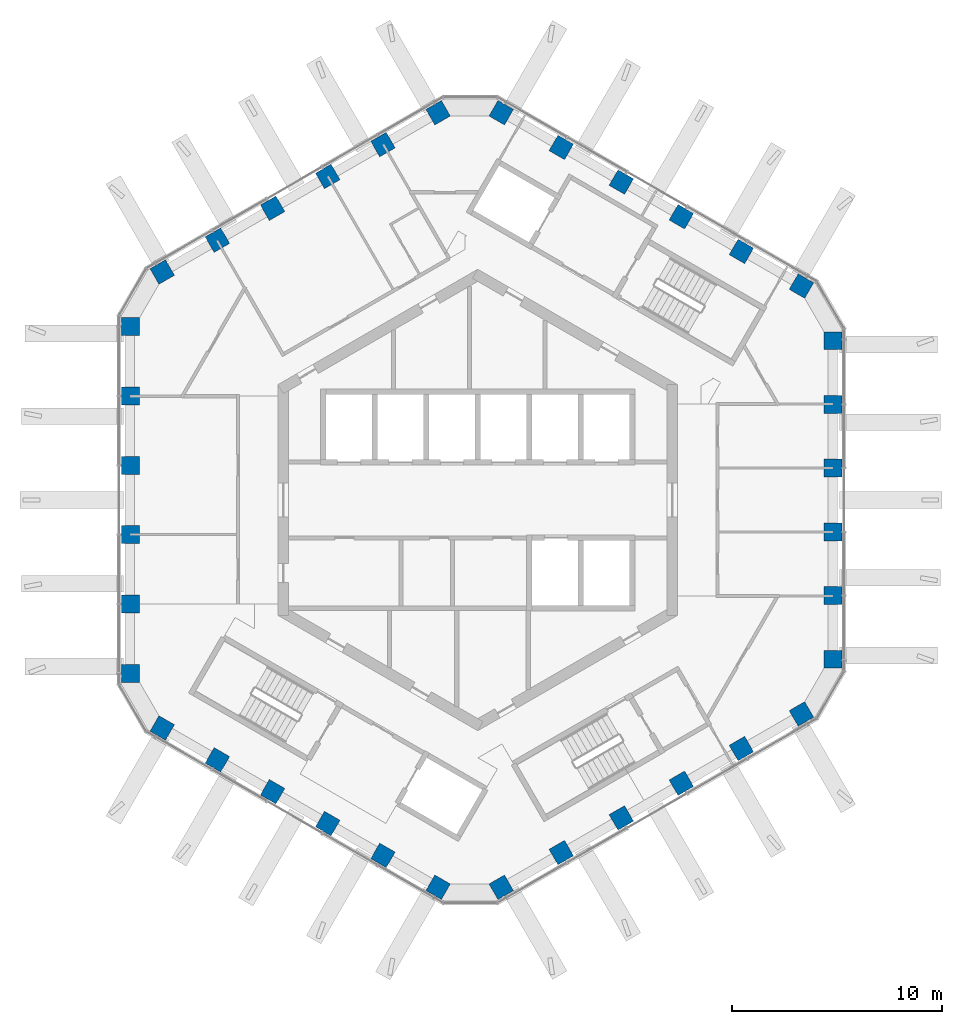
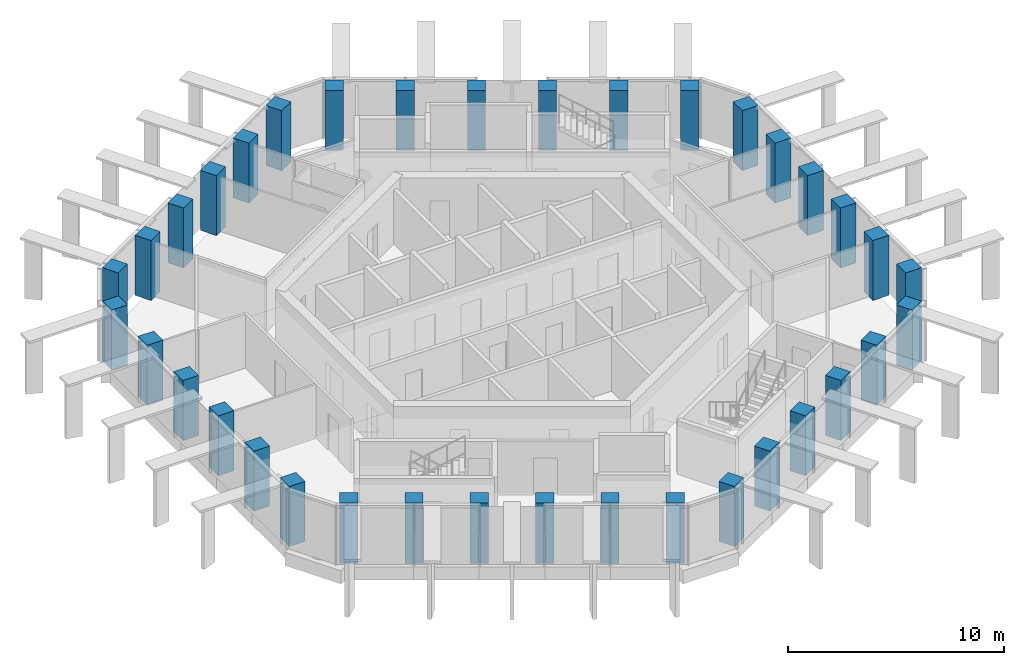
# One storey, part 1 of 18: 36 columns.
"""IFC4 building model written with IfcOpenShell, lengths in metres."""

import ifcopenshell
import ifcopenshell.guid

model = None  # the IFC model being written
_history = None  # IfcOwnerHistory: only IFC2X3 demands one
_inside = {}  # id of a spatial element -> (the spatial element, [elements in it])
_under = {}  # id of a project, library or spatial element -> (it, [spatial elements below it])
_declared = {}  # id of a project -> (the project, [libraries it declares])
_typed = {}  # id of a type object -> (the type object, [elements of that type])
_made_of = {}  # id of a material, layer set ... -> (it, [elements and type objects made of it])


def new_model(schema):
    """Start an empty IFC model of exactly this schema.

    Asked for "IFC4X3", IfcOpenShell would pick the latest addendum, in which some entities
    have other attributes; the version numbers below select the first issue.
    IFC2X3 requires an IfcOwnerHistory on every rooted entity: one is made here for all.
    """
    global model, _history
    if schema == "IFC4X3":
        model = ifcopenshell.file(schema_version=(4, 3, 0, 0))
    else:
        model = ifcopenshell.file(schema=schema)
    _inside.clear()
    _under.clear()
    _declared.clear()
    _typed.clear()
    _made_of.clear()
    _history = None
    if model.schema == "IFC2X3":
        org = make("IfcOrganization", Name="unknown")
        user = make(
            "IfcPersonAndOrganization",
            ThePerson=make("IfcPerson", FamilyName="unknown"),
            TheOrganization=org,
        )
        app = make(
            "IfcApplication",
            ApplicationDeveloper=org,
            Version="unknown",
            ApplicationFullName="unknown",
            ApplicationIdentifier="unknown",
        )
        _history = make(
            "IfcOwnerHistory",
            OwningUser=user,
            OwningApplication=app,
            ChangeAction="ADDED",
            CreationDate=0,
        )
    return model


def make(cls, **values):
    """One entity of the class cls with the attributes given. An attribute that is None is left unset."""
    return model.create_entity(
        cls, **{name: value for name, value in values.items() if value is not None}
    )


def rooted(cls, **values):
    """An entity with a GlobalId (a new one), such as an element, a storey or a relation."""
    return make(cls, GlobalId=ifcopenshell.guid.new(), OwnerHistory=_history, **values)


def si_unit(unit_type, name, prefix=None):
    """IfcSIUnit, for example si_unit("LENGTHUNIT", "METRE", prefix="MILLI")."""
    return make("IfcSIUnit", UnitType=unit_type, Prefix=prefix, Name=name)


def assignment(units):
    """IfcUnitAssignment: the units of a project."""
    return None if units is None else make("IfcUnitAssignment", Units=units)


def point(xyz):
    """IfcCartesianPoint."""
    return None if xyz is None else make("IfcCartesianPoint", Coordinates=xyz)


def direction(xyz):
    """IfcDirection."""
    return None if xyz is None else make("IfcDirection", DirectionRatios=xyz)


def frame(location, z_axis=None, x_axis=None):
    """IfcAxis2Placement3D, a coordinate frame: its origin and axes. An axis left out is left unset."""
    return make(
        "IfcAxis2Placement3D",
        Location=point(location),
        Axis=direction(z_axis),
        RefDirection=direction(x_axis),
    )


def frame_2d(location, x_axis=None):
    """IfcAxis2Placement2D, a coordinate frame in the plane: its origin and x axis."""
    return make(
        "IfcAxis2Placement2D", Location=point(location), RefDirection=direction(x_axis)
    )


def origin():
    """The frame at (0, 0, 0) with its axes left unset."""
    return frame((0.0, 0.0, 0.0))


def origin_2d():
    """The frame at (0, 0) in the plane with its x axis left unset."""
    return frame_2d((0.0, 0.0))


def place(relative_to, where):
    """IfcLocalPlacement: puts the frame where relative to a parent placement (None: the world)."""
    return make(
        "IfcLocalPlacement", PlacementRelTo=relative_to, RelativePlacement=where
    )


def context(
    kind, dimensions, precision=None, world=None, true_north=None, identifier=None
):
    """IfcGeometricRepresentationContext, for example the 3D "Model" context."""
    return make(
        "IfcGeometricRepresentationContext",
        ContextIdentifier=identifier,
        ContextType=kind,
        CoordinateSpaceDimension=dimensions,
        Precision=precision,
        WorldCoordinateSystem=world,
        TrueNorth=true_north,
    )


def subcontext(parent, identifier, kind, view, scale=None):
    """IfcGeometricRepresentationSubContext, for example "Body" below "Model"."""
    return make(
        "IfcGeometricRepresentationSubContext",
        ContextIdentifier=identifier,
        ContextType=kind,
        ParentContext=parent,
        TargetScale=scale,
        TargetView=view,
    )


def project(units=None, contexts=None):
    """IfcProject with its units and contexts."""
    return rooted(
        "IfcProject",
        Name="project",
        RepresentationContexts=contexts,
        UnitsInContext=assignment(units),
    )


def spatial(cls, under=None, at=None, **own):
    """A site, building, storey or space (cls), placed at a placement, below another one or the project."""
    s = rooted(cls, ObjectPlacement=at, **own)
    if under is not None:
        _under.setdefault(under.id(), (under, []))[1].append(s)
    return s


def profile(cls, at=None, kind="AREA", **sizes):
    """A parametric profile (cls). Its sizes go by their IFC names, for example OverallWidth=200.0."""
    return make(cls, ProfileType=kind, Position=at, **sizes)


def rectangle(**sizes):
    """IfcRectangleProfileDef."""
    return profile("IfcRectangleProfileDef", **sizes)


def extrude(swept, where, along, depth):
    """IfcExtrudedAreaSolid: the profile swept, set in the frame where, extruded along a direction by depth."""
    return make(
        "IfcExtrudedAreaSolid",
        SweptArea=swept,
        Position=where,
        ExtrudedDirection=direction(along),
        Depth=depth,
    )


def shape(context_of_items, identifier, shape_type, items):
    """IfcShapeRepresentation: the items that make up one representation, for example the "Body"."""
    return make(
        "IfcShapeRepresentation",
        ContextOfItems=context_of_items,
        RepresentationIdentifier=identifier,
        RepresentationType=shape_type,
        Items=items,
    )


def material(Name=None, Category=None):
    """IfcMaterial."""
    return make("IfcMaterial", Name=Name, Category=Category)


def material_profile(
    of_material, cross_section, Name=None, Category=None, Priority=None
):
    """IfcMaterialProfile: a cross section and its material."""
    return make(
        "IfcMaterialProfile",
        Name=Name,
        Material=of_material,
        Profile=cross_section,
        Priority=Priority,
        Category=Category,
    )


def profile_set(profiles, Name=None, composite=None):
    """IfcMaterialProfileSet."""
    return make(
        "IfcMaterialProfileSet",
        Name=Name,
        MaterialProfiles=profiles,
        CompositeProfile=composite,
    )


def made_of(thing, what):
    """Note that an element or type object is made of a material, layer set ...; save() writes the relation."""
    if what is not None:
        _made_of.setdefault(what.id(), (what, []))[1].append(thing)
    return thing


def type_object(cls, material=None, **own):
    """A type object (cls), such as IfcWallType, which elements share."""
    return made_of(rooted(cls, **own), material)


def element(
    cls,
    number,
    at=None,
    inside=None,
    cuts=None,
    type_object=None,
    material=None,
    context=None,
    identifier="Body",
    shape_type=None,
    held_by="IfcProductDefinitionShape",
    body=None,
    shapes=None,
    **own,
):
    """One element of the class cls, such as IfcWall. Its Tag is "e" and its number.

    at: its placement. inside: the storey or other place that contains it. cuts: it is an
    opening in that element (IfcRelVoidsElement). A single representation is given by context,
    identifier, shape_type and body (its items); several are given by shapes. held_by: the class
    of the entity that holds the representations. save() writes the other relations.
    """
    e = rooted(cls, Tag="e%d" % number, ObjectPlacement=at, **own)
    if body is not None:
        shapes = [shape(context, identifier, shape_type, body)]
    if shapes is not None:
        e.Representation = make(held_by, Representations=shapes)
    if inside is not None:
        _inside.setdefault(inside.id(), (inside, []))[1].append(e)
    if cuts is not None:
        rooted(
            "IfcRelVoidsElement", RelatingBuildingElement=cuts, RelatedOpeningElement=e
        )
    if type_object is not None:
        _typed.setdefault(type_object.id(), (type_object, []))[1].append(e)
    return made_of(e, material)


def aggregate(whole, parts):
    """IfcRelAggregates: a whole, such as a stair, and the parts it consists of."""
    return rooted("IfcRelAggregates", RelatingObject=whole, RelatedObjects=parts)


def save(model, path):
    """Write the relations noted so far, then the file.

    IfcRelAggregates (storeys below a building ...), IfcRelContainedInSpatialStructure (elements
    in a storey), IfcRelDefinesByType, IfcRelAssociatesMaterial and IfcRelDeclares: one each for
    every whole, place, type object, material and project.
    """
    for whole, parts in _under.values():
        aggregate(whole, parts)
    for where, things in _inside.values():
        rooted(
            "IfcRelContainedInSpatialStructure",
            RelatedElements=things,
            RelatingStructure=where,
        )
    for kind, things in _typed.values():
        rooted("IfcRelDefinesByType", RelatedObjects=things, RelatingType=kind)
    for what, things in _made_of.values():
        rooted("IfcRelAssociatesMaterial", RelatedObjects=things, RelatingMaterial=what)
    for by, libraries in _declared.values():
        rooted("IfcRelDeclares", RelatingContext=by, RelatedDefinitions=libraries)
    model.write(path)


model = new_model("IFC4")

# Units and contexts
model_context = context("Model", 3, precision=1e-05, world=origin(), true_north=direction((0.0, 1.0)))
body_context = subcontext(model_context, "Body", "Model", "MODEL_VIEW")
ifc_project = project(units=[si_unit("LENGTHUNIT", "METRE"), si_unit("AREAUNIT", "SQUARE_METRE"), si_unit("VOLUMEUNIT", "CUBIC_METRE"), si_unit("PLANEANGLEUNIT", "RADIAN"), si_unit("MASSUNIT", "GRAM", prefix="KILO")], contexts=[model_context])

# Site, building, storey
site_placement = place(None, origin())
site = spatial("IfcSite", under=ifc_project, at=site_placement, CompositionType="ELEMENT")
building_placement = place(site_placement, origin())
building = spatial("IfcBuilding", under=site, at=building_placement, Name="Ayvan Gate Tower", CompositionType="ELEMENT")
storey_placement = place(building_placement, frame((0.0, 0.0, 239.300048828125)))
storey = spatial("IfcBuildingStorey", under=building, at=storey_placement, Name="L64", CompositionType="ELEMENT", Elevation=239.300048828125)

# Columns
ifc_material = material(Name="Concrete C50/60", Category="concrete")
ifc_material_profile = material_profile(ifc_material, rectangle(XDim=0.85009765625, YDim=0.85009765625, at=origin_2d()), Name="RC 850x850")
ifc_profile_set = profile_set([ifc_material_profile], Name="Concrete C50/60")
column_type = type_object("IfcColumnType", Name="Tube column RC 850x850 C50/60", PredefinedType="COLUMN", material=ifc_profile_set)
for number, where, z_axis, x_axis, name in (
    (1, (16.887451171875, -7.572509765625, 0.0), (0.0, 0.0, 1.0), (1.0, 0.0, 0.0), "C-T0-0-L64"),
    (2, (16.887451171875, -4.54345703125, 0.0), (0.0, 0.0, 1.0), (1.0, 0.0, 0.0), "C-T0-1-L64"),
    (3, (16.887451171875, -1.514404296875, 0.0), (0.0, 0.0, 1.0), (1.0, 0.0, 0.0), "C-T0-2-L64"),
    (4, (16.887451171875, 1.514404296875, 0.0), (0.0, 0.0, 1.0), (1.0, 0.0, 0.0), "C-T0-3-L64"),
    (5, (16.887451171875, 4.54345703125, 0.0), (0.0, 0.0, 1.0), (1.0, 0.0, 0.0), "C-T0-4-L64"),
    (6, (16.887451171875, 7.572509765625, 0.0), (0.0, 0.0, 1.0), (1.0, 0.0, 0.0), "C-T0-5-L64"),
    (7, (15.387451171875, 10.170654296875, 0.0), (0.0, 0.0, 1.0), (0.5, 0.866025403784, 0.0), "C-T1-0-L64"),
    (8, (12.532958984375, 11.818603515625, 0.0), (0.0, 0.0, 1.0), (0.5, 0.866025403784, 0.0), "C-T1-1-L64"),
    (9, (9.67822265625, 13.466796875, 0.0), (0.0, 0.0, 1.0), (0.5, 0.866025403784, 0.0), "C-T1-2-L64"),
    (10, (6.823486328125, 15.114990234375, 0.0), (0.0, 0.0, 1.0), (0.5, 0.866025403784, 0.0), "C-T1-3-L64"),
    (11, (3.968994140625, 16.76318359375, 0.0), (0.0, 0.0, 1.0), (0.5, 0.866025403784, 0.0), "C-T1-4-L64"),
    (12, (1.1142578125, 18.411376953125, 0.0), (0.0, 0.0, 1.0), (0.5, 0.866025403784, 0.0), "C-T1-5-L64"),
    (13, (-1.8857421875, 18.411376953125, 0.0), (0.0, 0.0, 1.0), (-0.5, 0.866025403784, 0.0), "C-T2-0-L64"),
    (14, (-4.509033203125, 16.896728515625, 0.0), (0.0, 0.0, 1.0), (-0.5, 0.866025403784, 0.0), "C-T2-1-L64"),
    (15, (-7.132080078125, 15.38232421875, 0.0), (0.0, 0.0, 1.0), (-0.5, 0.866025403784, 0.0), "C-T2-2-L64"),
    (16, (-9.75537109375, 13.86767578125, 0.0), (0.0, 0.0, 1.0), (-0.5, 0.866025403784, 0.0), "C-T2-3-L64"),
    (17, (-12.378662109375, 12.353271484375, 0.0), (0.0, 0.0, 1.0), (-0.5, 0.866025403784, 0.0), "C-T2-4-L64"),
    (18, (-15.001708984375, 10.838623046875, 0.0), (0.0, 0.0, 1.0), (-0.5, 0.866025403784, 0.0), "C-T2-5-L64"),
    (19, (-16.501708984375, 8.24072265625, 0.0), (0.0, 0.0, 1.0), (-1.0, 0.0, 0.0), "C-T3-0-L64"),
    (20, (-16.501708984375, 4.9443359375, 0.0), (0.0, 0.0, 1.0), (-1.0, 0.0, 0.0), "C-T3-1-L64"),
    (21, (-16.501708984375, 1.648193359375, 0.0), (0.0, 0.0, 1.0), (-1.0, 0.0, 0.0), "C-T3-2-L64"),
    (22, (-16.501708984375, -1.648193359375, 0.0), (0.0, 0.0, 1.0), (-1.0, 0.0, 0.0), "C-T3-3-L64"),
    (23, (-16.501708984375, -4.9443359375, 0.0), (0.0, 0.0, 1.0), (-1.0, 0.0, 0.0), "C-T3-4-L64"),
    (24, (-16.501708984375, -8.24072265625, 0.0), (0.0, 0.0, 1.0), (-1.0, 0.0, 0.0), "C-T3-5-L64"),
    (25, (-15.001708984375, -10.838623046875, 0.0), (0.0, 0.0, 1.0), (-0.5, -0.866025403784, 0.0), "C-T4-0-L64"),
    (26, (-12.378662109375, -12.353271484375, 0.0), (0.0, 0.0, 1.0), (-0.5, -0.866025403784, 0.0), "C-T4-1-L64"),
    (27, (-9.75537109375, -13.86767578125, 0.0), (0.0, 0.0, 1.0), (-0.5, -0.866025403784, 0.0), "C-T4-2-L64"),
    (28, (-7.132080078125, -15.38232421875, 0.0), (0.0, 0.0, 1.0), (-0.5, -0.866025403784, 0.0), "C-T4-3-L64"),
    (29, (-4.509033203125, -16.896728515625, 0.0), (0.0, 0.0, 1.0), (-0.5, -0.866025403784, 0.0), "C-T4-4-L64"),
    (30, (-1.8857421875, -18.411376953125, 0.0), (0.0, 0.0, 1.0), (-0.5, -0.866025403784, 0.0), "C-T4-5-L64"),
    (31, (1.1142578125, -18.411376953125, 0.0), (0.0, 0.0, 1.0), (0.5, -0.866025403784, 0.0), "C-T5-0-L64"),
    (32, (3.968994140625, -16.76318359375, 0.0), (0.0, 0.0, 1.0), (0.5, -0.866025403784, 0.0), "C-T5-1-L64"),
    (33, (6.823486328125, -15.114990234375, 0.0), (0.0, 0.0, 1.0), (0.5, -0.866025403784, 0.0), "C-T5-2-L64"),
    (34, (9.67822265625, -13.466796875, 0.0), (0.0, 0.0, 1.0), (0.5, -0.866025403784, 0.0), "C-T5-3-L64"),
    (35, (12.532958984375, -11.818603515625, 0.0), (0.0, 0.0, 1.0), (0.5, -0.866025403784, 0.0), "C-T5-4-L64"),
    (36, (15.387451171875, -10.170654296875, 0.0), (0.0, 0.0, 1.0), (0.5, -0.866025403784, 0.0), "C-T5-5-L64"),
):
    element("IfcColumn", number, at=place(storey_placement, frame(where, z_axis=z_axis, x_axis=x_axis)), inside=storey, type_object=column_type, Name=name, PredefinedType="COLUMN", context=body_context, shape_type="SweptSolid", body=[
        extrude(rectangle(XDim=0.85009765625, YDim=0.85009765625, at=origin_2d()), origin(), (0.0, 0.0, 1.0), 3.39990234375),
    ])

save(model, "model.ifc")
